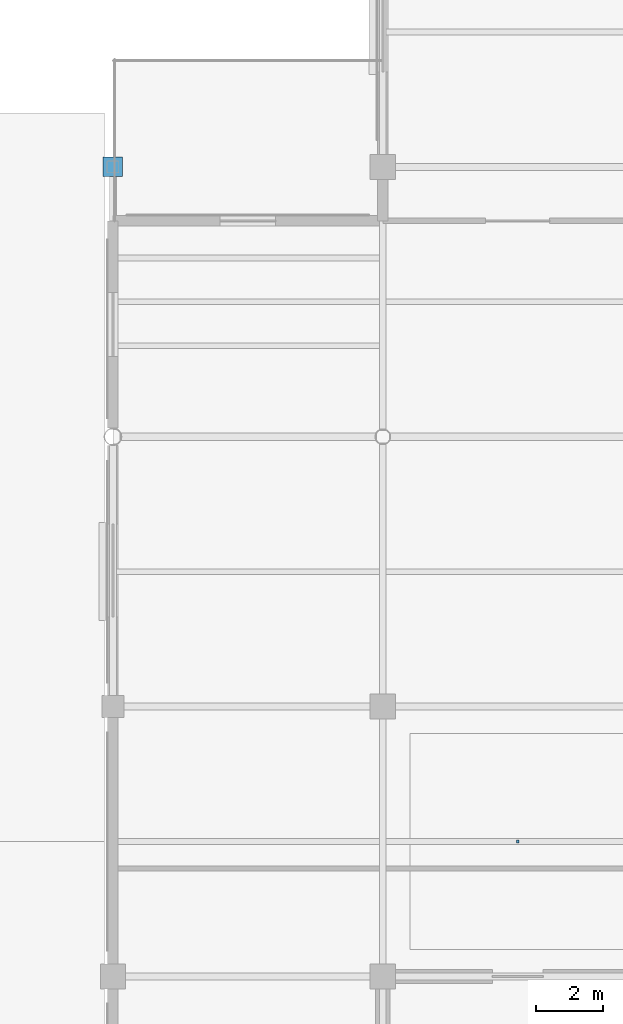
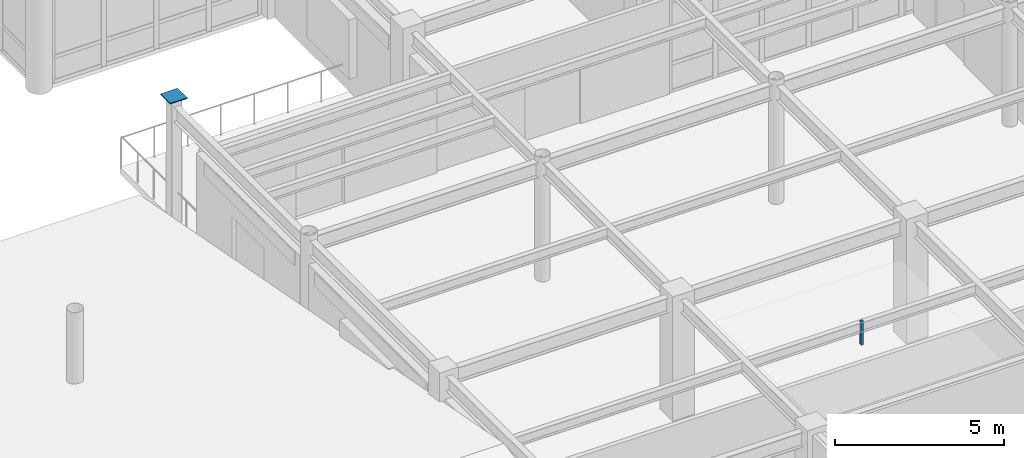
# One storey, part 93 of 111: 2 discrete accessories.
"""IFC4 building model written with IfcOpenShell, lengths in metres."""

from ifc_helpers import new_model, si_unit, direction, frame, origin, origin_2d, place, context, subcontext, project, spatial, rectangle, extrude, material, layer, layer_set, type_object, element, save


model = new_model("IFC4")

# Units and contexts
model_context = context("Model", 3, precision=1e-05, world=origin(), true_north=direction((0.0, 1.0)))
body_context = subcontext(model_context, "Body", "Model", "MODEL_VIEW")
ifc_project = project(units=[si_unit("LENGTHUNIT", "METRE"), si_unit("AREAUNIT", "SQUARE_METRE"), si_unit("VOLUMEUNIT", "CUBIC_METRE"), si_unit("PLANEANGLEUNIT", "RADIAN"), si_unit("MASSUNIT", "GRAM", prefix="KILO")], contexts=[model_context])

# Site, building, storey
site_placement = place(None, origin())
site = spatial("IfcSite", under=ifc_project, at=site_placement, CompositionType="ELEMENT")
building_placement = place(site_placement, origin())
building = spatial("IfcBuilding", under=site, at=building_placement, Name="Solmirada Galleria", CompositionType="ELEMENT")
storey_placement = place(building_placement, frame((0.0, 0.0, 10.39990234375)))
storey = spatial("IfcBuildingStorey", under=building, at=storey_placement, Name="L02", CompositionType="ELEMENT", Elevation=10.39990234375)

# Discrete accessories
ifc_material_1 = material(Name="Steel S355 / ASTM A992 Grade 50", Category="steel")
discrete_accessory_type_1 = type_object("IfcDiscreteAccessoryType", Name="ACC-CEIL-HANGER", PredefinedType="BRACKET", material=ifc_material_1)
discrete_accessory_1_placement = place(storey_placement, frame((92.0, 20.0, 3.449951171875), z_axis=(0.0, 0.0, 1.0), x_axis=(1.0, 0.0, 0.0)))
element("IfcDiscreteAccessory", 1, at=discrete_accessory_1_placement, inside=storey, type_object=discrete_accessory_type_1, Name="Ceiling suspension hanger L02-2", PredefinedType="BRACKET", context=body_context, shape_type="SweptSolid", body=[
    extrude(rectangle(XDim=0.080078125, YDim=0.080078125, at=origin_2d()), origin(), (0.0, 0.0, 1.0), 0.8701171875),
])
ifc_material_2 = material(Name="Steel S355 / ASTM A572 Grade 50", Category="steel")
ifc_layer = layer(ifc_material_2, 0.031982421875)
ifc_layer_set = layer_set([ifc_layer], Name="Steel S355 / ASTM A572 Grade 50")
discrete_accessory_type_2 = type_object("IfcDiscreteAccessoryType", Name="ACC-COL-CAP", PredefinedType="BRACKET", material=ifc_layer_set)
discrete_accessory_2_placement = place(storey_placement, frame((80.0, 40.0, 4.494140625), z_axis=(0.0, 0.0, 1.0), x_axis=(1.0, 0.0, 0.0)))
element("IfcDiscreteAccessory", 2, at=discrete_accessory_2_placement, inside=storey, type_object=discrete_accessory_type_2, Name="Hollow column cap plate L02-0386", PredefinedType="BRACKET", context=body_context, shape_type="SweptSolid", body=[
    extrude(rectangle(XDim=0.580078125, YDim=0.580078125, at=origin_2d()), origin(), (0.0, 0.0, 1.0), 0.035888671875),
])

save(model, "model.ifc")
